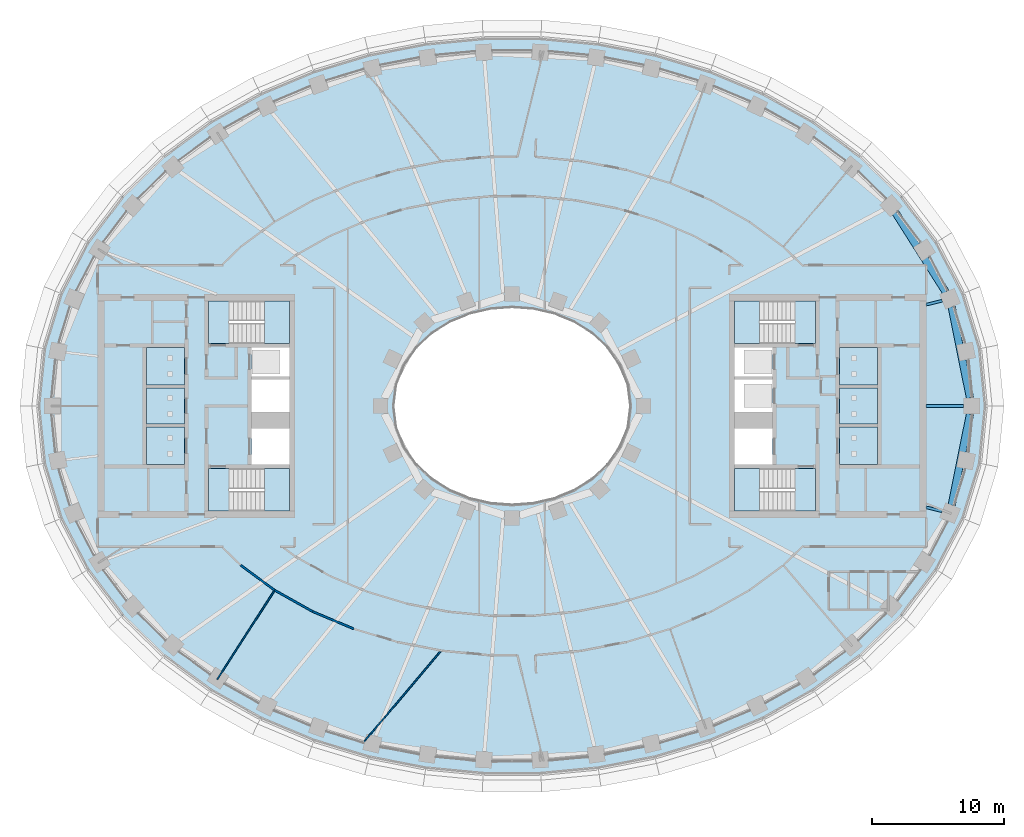
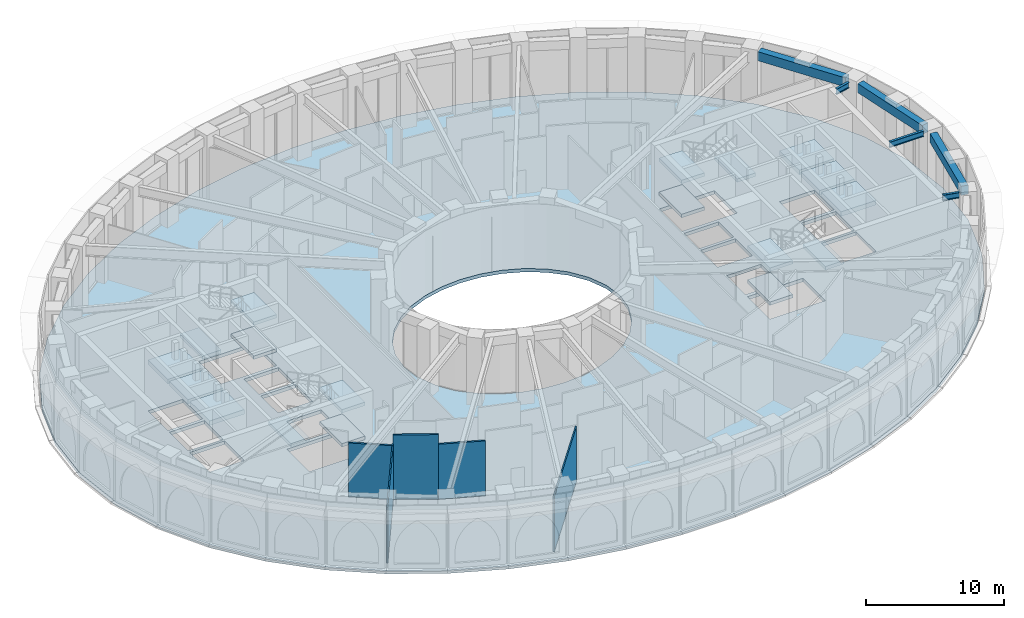
# One storey, part 2 of 23: 19 slabs, 6 beams, 5 walls, 4 elements without a shape of their own.
"""IFC4 building model written with IfcOpenShell, lengths in metres."""

import ifcopenshell
import ifcopenshell.guid

model = None  # the IFC model being written
_history = None  # IfcOwnerHistory: only IFC2X3 demands one
_inside = {}  # id of a spatial element -> (the spatial element, [elements in it])
_under = {}  # id of a project, library or spatial element -> (it, [spatial elements below it])
_declared = {}  # id of a project -> (the project, [libraries it declares])
_typed = {}  # id of a type object -> (the type object, [elements of that type])
_made_of = {}  # id of a material, layer set ... -> (it, [elements and type objects made of it])


def new_model(schema):
    """Start an empty IFC model of exactly this schema.

    Asked for "IFC4X3", IfcOpenShell would pick the latest addendum, in which some entities
    have other attributes; the version numbers below select the first issue.
    IFC2X3 requires an IfcOwnerHistory on every rooted entity: one is made here for all.
    """
    global model, _history
    if schema == "IFC4X3":
        model = ifcopenshell.file(schema_version=(4, 3, 0, 0))
    else:
        model = ifcopenshell.file(schema=schema)
    _inside.clear()
    _under.clear()
    _declared.clear()
    _typed.clear()
    _made_of.clear()
    _history = None
    if model.schema == "IFC2X3":
        org = make("IfcOrganization", Name="unknown")
        user = make(
            "IfcPersonAndOrganization",
            ThePerson=make("IfcPerson", FamilyName="unknown"),
            TheOrganization=org,
        )
        app = make(
            "IfcApplication",
            ApplicationDeveloper=org,
            Version="unknown",
            ApplicationFullName="unknown",
            ApplicationIdentifier="unknown",
        )
        _history = make(
            "IfcOwnerHistory",
            OwningUser=user,
            OwningApplication=app,
            ChangeAction="ADDED",
            CreationDate=0,
        )
    return model


def make(cls, **values):
    """One entity of the class cls with the attributes given. An attribute that is None is left unset."""
    return model.create_entity(
        cls, **{name: value for name, value in values.items() if value is not None}
    )


def rooted(cls, **values):
    """An entity with a GlobalId (a new one), such as an element, a storey or a relation."""
    return make(cls, GlobalId=ifcopenshell.guid.new(), OwnerHistory=_history, **values)


def si_unit(unit_type, name, prefix=None):
    """IfcSIUnit, for example si_unit("LENGTHUNIT", "METRE", prefix="MILLI")."""
    return make("IfcSIUnit", UnitType=unit_type, Prefix=prefix, Name=name)


def assignment(units):
    """IfcUnitAssignment: the units of a project."""
    return None if units is None else make("IfcUnitAssignment", Units=units)


def point(xyz):
    """IfcCartesianPoint."""
    return None if xyz is None else make("IfcCartesianPoint", Coordinates=xyz)


def direction(xyz):
    """IfcDirection."""
    return None if xyz is None else make("IfcDirection", DirectionRatios=xyz)


def frame(location, z_axis=None, x_axis=None):
    """IfcAxis2Placement3D, a coordinate frame: its origin and axes. An axis left out is left unset."""
    return make(
        "IfcAxis2Placement3D",
        Location=point(location),
        Axis=direction(z_axis),
        RefDirection=direction(x_axis),
    )


def frame_2d(location, x_axis=None):
    """IfcAxis2Placement2D, a coordinate frame in the plane: its origin and x axis."""
    return make(
        "IfcAxis2Placement2D", Location=point(location), RefDirection=direction(x_axis)
    )


def origin():
    """The frame at (0, 0, 0) with its axes left unset."""
    return frame((0.0, 0.0, 0.0))


def origin_2d():
    """The frame at (0, 0) in the plane with its x axis left unset."""
    return frame_2d((0.0, 0.0))


def place(relative_to, where):
    """IfcLocalPlacement: puts the frame where relative to a parent placement (None: the world)."""
    return make(
        "IfcLocalPlacement", PlacementRelTo=relative_to, RelativePlacement=where
    )


def context(
    kind, dimensions, precision=None, world=None, true_north=None, identifier=None
):
    """IfcGeometricRepresentationContext, for example the 3D "Model" context."""
    return make(
        "IfcGeometricRepresentationContext",
        ContextIdentifier=identifier,
        ContextType=kind,
        CoordinateSpaceDimension=dimensions,
        Precision=precision,
        WorldCoordinateSystem=world,
        TrueNorth=true_north,
    )


def subcontext(parent, identifier, kind, view, scale=None):
    """IfcGeometricRepresentationSubContext, for example "Body" below "Model"."""
    return make(
        "IfcGeometricRepresentationSubContext",
        ContextIdentifier=identifier,
        ContextType=kind,
        ParentContext=parent,
        TargetScale=scale,
        TargetView=view,
    )


def project(units=None, contexts=None):
    """IfcProject with its units and contexts."""
    return rooted(
        "IfcProject",
        Name="project",
        RepresentationContexts=contexts,
        UnitsInContext=assignment(units),
    )


def spatial(cls, under=None, at=None, **own):
    """A site, building, storey or space (cls), placed at a placement, below another one or the project."""
    s = rooted(cls, ObjectPlacement=at, **own)
    if under is not None:
        _under.setdefault(under.id(), (under, []))[1].append(s)
    return s


def polyline(points):
    """IfcPolyline through the points."""
    return make("IfcPolyline", Points=[point(p) for p in points])


def profile(cls, at=None, kind="AREA", **sizes):
    """A parametric profile (cls). Its sizes go by their IFC names, for example OverallWidth=200.0."""
    return make(cls, ProfileType=kind, Position=at, **sizes)


def rectangle(**sizes):
    """IfcRectangleProfileDef."""
    return profile("IfcRectangleProfileDef", **sizes)


def i_section(**sizes):
    """IfcIShapeProfileDef."""
    return profile("IfcIShapeProfileDef", **sizes)


def outline(outer, holes=None, kind="AREA"):
    """IfcArbitraryClosedProfileDef: a profile drawn as a closed curve; with holes, ...WithVoids."""
    if holes is None:
        return make("IfcArbitraryClosedProfileDef", ProfileType=kind, OuterCurve=outer)
    return make(
        "IfcArbitraryProfileDefWithVoids",
        ProfileType=kind,
        OuterCurve=outer,
        InnerCurves=holes,
    )


def extrude(swept, where, along, depth):
    """IfcExtrudedAreaSolid: the profile swept, set in the frame where, extruded along a direction by depth."""
    return make(
        "IfcExtrudedAreaSolid",
        SweptArea=swept,
        Position=where,
        ExtrudedDirection=direction(along),
        Depth=depth,
    )


def shape(context_of_items, identifier, shape_type, items):
    """IfcShapeRepresentation: the items that make up one representation, for example the "Body"."""
    return make(
        "IfcShapeRepresentation",
        ContextOfItems=context_of_items,
        RepresentationIdentifier=identifier,
        RepresentationType=shape_type,
        Items=items,
    )


def material(Name=None, Category=None):
    """IfcMaterial."""
    return make("IfcMaterial", Name=Name, Category=Category)


def layer(
    of_material, thickness, ventilated=None, Name=None, Category=None, Priority=None
):
    """IfcMaterialLayer: one layer of a wall or slab, of a material (None: an air gap)."""
    return make(
        "IfcMaterialLayer",
        Material=of_material,
        LayerThickness=thickness,
        IsVentilated=ventilated,
        Name=Name,
        Category=Category,
        Priority=Priority,
    )


def layer_set(layers, Name=None):
    """IfcMaterialLayerSet."""
    return make("IfcMaterialLayerSet", MaterialLayers=layers, LayerSetName=Name)


def material_profile(
    of_material, cross_section, Name=None, Category=None, Priority=None
):
    """IfcMaterialProfile: a cross section and its material."""
    return make(
        "IfcMaterialProfile",
        Name=Name,
        Material=of_material,
        Profile=cross_section,
        Priority=Priority,
        Category=Category,
    )


def profile_set(profiles, Name=None, composite=None):
    """IfcMaterialProfileSet."""
    return make(
        "IfcMaterialProfileSet",
        Name=Name,
        MaterialProfiles=profiles,
        CompositeProfile=composite,
    )


def made_of(thing, what):
    """Note that an element or type object is made of a material, layer set ...; save() writes the relation."""
    if what is not None:
        _made_of.setdefault(what.id(), (what, []))[1].append(thing)
    return thing


def type_object(cls, material=None, **own):
    """A type object (cls), such as IfcWallType, which elements share."""
    return made_of(rooted(cls, **own), material)


def element(
    cls,
    number,
    at=None,
    inside=None,
    cuts=None,
    type_object=None,
    material=None,
    context=None,
    identifier="Body",
    shape_type=None,
    held_by="IfcProductDefinitionShape",
    body=None,
    shapes=None,
    **own,
):
    """One element of the class cls, such as IfcWall. Its Tag is "e" and its number.

    at: its placement. inside: the storey or other place that contains it. cuts: it is an
    opening in that element (IfcRelVoidsElement). A single representation is given by context,
    identifier, shape_type and body (its items); several are given by shapes. held_by: the class
    of the entity that holds the representations. save() writes the other relations.
    """
    e = rooted(cls, Tag="e%d" % number, ObjectPlacement=at, **own)
    if body is not None:
        shapes = [shape(context, identifier, shape_type, body)]
    if shapes is not None:
        e.Representation = make(held_by, Representations=shapes)
    if inside is not None:
        _inside.setdefault(inside.id(), (inside, []))[1].append(e)
    if cuts is not None:
        rooted(
            "IfcRelVoidsElement", RelatingBuildingElement=cuts, RelatedOpeningElement=e
        )
    if type_object is not None:
        _typed.setdefault(type_object.id(), (type_object, []))[1].append(e)
    return made_of(e, material)


def aggregate(whole, parts):
    """IfcRelAggregates: a whole, such as a stair, and the parts it consists of."""
    return rooted("IfcRelAggregates", RelatingObject=whole, RelatedObjects=parts)


def save(model, path):
    """Write the relations noted so far, then the file.

    IfcRelAggregates (storeys below a building ...), IfcRelContainedInSpatialStructure (elements
    in a storey), IfcRelDefinesByType, IfcRelAssociatesMaterial and IfcRelDeclares: one each for
    every whole, place, type object, material and project.
    """
    for whole, parts in _under.values():
        aggregate(whole, parts)
    for where, things in _inside.values():
        rooted(
            "IfcRelContainedInSpatialStructure",
            RelatedElements=things,
            RelatingStructure=where,
        )
    for kind, things in _typed.values():
        rooted("IfcRelDefinesByType", RelatedObjects=things, RelatingType=kind)
    for what, things in _made_of.values():
        rooted("IfcRelAssociatesMaterial", RelatedObjects=things, RelatingMaterial=what)
    for by, libraries in _declared.values():
        rooted("IfcRelDeclares", RelatingContext=by, RelatedDefinitions=libraries)
    model.write(path)


model = new_model("IFC4")

# Units and contexts
model_context = context("Model", 3, precision=1e-05, world=origin(), true_north=direction((0.0, 1.0)))
body_context = subcontext(model_context, "Body", "Model", "MODEL_VIEW")
ifc_project = project(units=[si_unit("LENGTHUNIT", "METRE"), si_unit("AREAUNIT", "SQUARE_METRE"), si_unit("VOLUMEUNIT", "CUBIC_METRE"), si_unit("PLANEANGLEUNIT", "RADIAN"), si_unit("MASSUNIT", "GRAM", prefix="KILO")], contexts=[model_context])

# Site, building, storey
site_placement = place(None, origin())
site = spatial("IfcSite", under=ifc_project, at=site_placement, CompositionType="ELEMENT")
building_placement = place(site_placement, origin())
building = spatial("IfcBuilding", under=site, at=building_placement, Name="Noorbagh Ring Tower", CompositionType="ELEMENT")
storey_placement = place(building_placement, frame((0.0, 0.0, 140.0)))
storey = spatial("IfcBuildingStorey", under=building, at=storey_placement, Name="L32", CompositionType="ELEMENT", Elevation=140.0)

# Beams
ifc_material_1 = material(Name="Steel S355", Category="steel")
ifc_material_profile_1 = material_profile(ifc_material_1, i_section(OverallWidth=0.199951171875, OverallDepth=0.5, WebThickness=0.01025390625, FlangeThickness=0.01611328125, FilletRadius=0.02099609375, at=origin_2d()), Name="IPE500")
ifc_profile_set_1 = profile_set([ifc_material_profile_1], Name="Steel S355")
beam_type_1 = type_object("IfcBeamType", Name="STR-RAD-IPE500", PredefinedType="BEAM", material=ifc_profile_set_1)
beam_1_placement = place(storey_placement, frame((34.339599609375, 0.0, 5.449951171875), z_axis=(-1.0, 0.0, 0.0), x_axis=(0.0, -1.0, 0.0)))
element("IfcBeam", 1, at=beam_1_placement, inside=storey, type_object=beam_type_1, Name="L32/bm/RD01", PredefinedType="BEAM", context=body_context, shape_type="SweptSolid", body=[
    extrude(i_section(OverallWidth=0.199951171875, OverallDepth=0.5, WebThickness=0.01025390625, FlangeThickness=0.01611328125, FilletRadius=0.02099609375, at=origin_2d()), origin(), (0.0, 0.0, 1.0), 2.859619140625),
])
for number, where, z_axis, x_axis, name in (
    (2, (32.710693359375, 8.00390625, 5.449951171875), (-0.971343647719, -0.237679443865, 0.0), (0.237679443865, -0.971343647719, 0.0), "L32/bm/RD03"),
    (3, (32.710693359375, -8.00390625, 5.449951171875), (-0.971343647719, 0.237679443865, 0.0), (-0.237679443865, -0.971343647719, 0.0), "L32/bm/RD45"),
):
    element("IfcBeam", number, at=place(storey_placement, frame(where, z_axis=z_axis, x_axis=x_axis)), inside=storey, type_object=beam_type_1, Name=name, PredefinedType="BEAM", context=body_context, shape_type="SweptSolid", body=[
        extrude(i_section(OverallWidth=0.199951171875, OverallDepth=0.5, WebThickness=0.01025390625, FlangeThickness=0.01611328125, FilletRadius=0.02099609375, at=origin_2d()), origin(), (0.0, 0.0, 1.0), 1.2666015625),
    ])
ifc_material_2 = material(Name="Concrete C40/50", Category="concrete")
ifc_material_profile_2 = material_profile(ifc_material_2, rectangle(XDim=0.550048828125, YDim=0.800048828125, at=origin_2d()), Name="RC550x800")
ifc_profile_set_2 = profile_set([ifc_material_profile_2], Name="Concrete C40/50")
beam_type_2 = type_object("IfcBeamType", Name="STR-SB-RC550x800-C40-50", PredefinedType="BEAM", material=ifc_profile_set_2)
beam_2_placement = place(storey_placement, frame((34.822998046875, 0.60546875, 5.300048828125), z_axis=(-0.197250205232, 0.98035317949, 0.0), x_axis=(-0.98035317949, -0.197250205232, 0.0)))
element("IfcBeam", 4, at=beam_2_placement, inside=storey, type_object=beam_type_2, Name="L32/bm/SP01", PredefinedType="BEAM", context=body_context, shape_type="SweptSolid", body=[
    extrude(rectangle(XDim=0.550048828125, YDim=0.800048828125, at=origin_2d()), origin(), (0.0, 0.0, 1.0), 7.07861328125),
])
beam_3_placement = place(storey_placement, frame((32.97607421875, 8.668701171875, 5.300048828125), z_axis=(-0.535178715716, 0.844738860385, 0.0), x_axis=(-0.844738860385, -0.535178715716, 0.0)))
element("IfcBeam", 5, at=beam_3_placement, inside=storey, type_object=beam_type_2, Name="L32/bm/SP03", PredefinedType="BEAM", context=body_context, shape_type="SweptSolid", body=[
    extrude(rectangle(XDim=0.550048828125, YDim=0.800048828125, at=origin_2d()), origin(), (0.0, 0.0, 1.0), 7.15478515625),
])
beam_4_placement = place(storey_placement, frame((33.4267578125, -7.544921875, 5.300048828125), z_axis=(0.197250205232, 0.98035317949, 0.0), x_axis=(-0.98035317949, 0.197250205232, 0.0)))
element("IfcBeam", 6, at=beam_4_placement, inside=storey, type_object=beam_type_2, Name="L32/bm/SP45", PredefinedType="BEAM", context=body_context, shape_type="SweptSolid", body=[
    extrude(rectangle(XDim=0.550048828125, YDim=0.800048828125, at=origin_2d()), origin(), (0.0, 0.0, 1.0), 7.07861328125),
])

# Slabs
ifc_material_3 = material(Name="Concrete C40/50", Category="concrete")
ifc_layer_1 = layer(ifc_material_3, 0.39990234375)
ifc_layer_set_1 = layer_set([ifc_layer_1], Name="Concrete C40/50")
slab_type_1 = type_object("IfcSlabType", Name="CORE-PIT-SLAB", PredefinedType="BASESLAB", material=ifc_layer_set_1)
slab_1_placement = place(storey_placement, frame((0.0, 0.0, 4.10009765625)))
element("IfcSlab", 7, at=slab_1_placement, inside=storey, type_object=slab_type_1, Name="Lift pit floor HR2", PredefinedType="BASESLAB", context=body_context, shape_type="SweptSolid", body=[
    extrude(outline(polyline([(-24.89990234375, -1.60009765625), (-27.800048828125, -1.60009765625), (-27.800048828125, -4.449951171875), (-24.89990234375, -4.449951171875), (-24.89990234375, -1.60009765625)])), origin(), (0.0, 0.0, 1.0), 0.39990234375),
])
slab_2_placement = place(storey_placement, frame((0.0, 0.0, 4.10009765625)))
element("IfcSlab", 8, at=slab_2_placement, inside=storey, type_object=slab_type_1, Name="Lift pit floor HR3", PredefinedType="BASESLAB", context=body_context, shape_type="SweptSolid", body=[
    extrude(outline(polyline([(-24.89990234375, 1.35009765625), (-27.800048828125, 1.35009765625), (-27.800048828125, -1.35009765625), (-24.89990234375, -1.35009765625), (-24.89990234375, 1.35009765625)])), origin(), (0.0, 0.0, 1.0), 0.39990234375),
])
slab_3_placement = place(storey_placement, frame((0.0, 0.0, 4.10009765625)))
element("IfcSlab", 9, at=slab_3_placement, inside=storey, type_object=slab_type_1, Name="Lift pit floor HR4", PredefinedType="BASESLAB", context=body_context, shape_type="SweptSolid", body=[
    extrude(outline(polyline([(-24.89990234375, 4.449951171875), (-27.800048828125, 4.449951171875), (-27.800048828125, 1.60009765625), (-24.89990234375, 1.60009765625), (-24.89990234375, 4.449951171875)])), origin(), (0.0, 0.0, 1.0), 0.39990234375),
])
slab_4_placement = place(storey_placement, frame((0.0, 0.0, 4.10009765625)))
element("IfcSlab", 10, at=slab_4_placement, inside=storey, type_object=slab_type_1, Name="Lift pit floor HR9", PredefinedType="BASESLAB", context=body_context, shape_type="SweptSolid", body=[
    extrude(outline(polyline([(24.89990234375, -4.449951171875), (27.800048828125, -4.449951171875), (27.800048828125, -1.60009765625), (24.89990234375, -1.60009765625), (24.89990234375, -4.449951171875)])), origin(), (0.0, 0.0, 1.0), 0.39990234375),
])
slab_5_placement = place(storey_placement, frame((0.0, 0.0, 4.10009765625)))
element("IfcSlab", 11, at=slab_5_placement, inside=storey, type_object=slab_type_1, Name="Lift pit floor HR10", PredefinedType="BASESLAB", context=body_context, shape_type="SweptSolid", body=[
    extrude(outline(polyline([(24.89990234375, -1.35009765625), (27.800048828125, -1.35009765625), (27.800048828125, 1.35009765625), (24.89990234375, 1.35009765625), (24.89990234375, -1.35009765625)])), origin(), (0.0, 0.0, 1.0), 0.39990234375),
])
slab_6_placement = place(storey_placement, frame((0.0, 0.0, 4.10009765625)))
element("IfcSlab", 12, at=slab_6_placement, inside=storey, type_object=slab_type_1, Name="Lift pit floor HR11", PredefinedType="BASESLAB", context=body_context, shape_type="SweptSolid", body=[
    extrude(outline(polyline([(24.89990234375, 1.60009765625), (27.800048828125, 1.60009765625), (27.800048828125, 4.449951171875), (24.89990234375, 4.449951171875), (24.89990234375, 1.60009765625)])), origin(), (0.0, 0.0, 1.0), 0.39990234375),
])

# Stair, slabs
ifc_material_4 = material(Name="Concrete C40/50", Category="concrete")
stair_type = type_object("IfcStairType", Name="CORE-STAIR", PredefinedType="HALF_TURN_STAIR", material=ifc_material_4)
stair_1_placement = place(storey_placement, origin())
stair_1 = element("IfcStair", 13, at=stair_1_placement, inside=storey, type_object=stair_type, Name="L32 Exit stair ST1", PredefinedType="HALF_TURN_STAIR")
ifc_material_5 = material(Name="Concrete C40/50", Category="concrete")
ifc_layer_2 = layer(ifc_material_5, 0.300048828125)
ifc_layer_set_2 = layer_set([ifc_layer_2], Name="Concrete C40/50")
slab_type_2 = type_object("IfcSlabType", Name="CORE-STAIR-LANDING", PredefinedType="LANDING", material=ifc_layer_set_2)
slab_7_placement = place(storey_placement, frame((0.0, 0.0, 1.199951171875)))
slab_7 = element("IfcSlab", 14, at=slab_7_placement, type_object=slab_type_2, Name="ST1 landing 1", PredefinedType="LANDING", context=body_context, shape_type="SweptSolid", body=[
    extrude(outline(polyline([(-18.81005859375, 4.75), (-16.89990234375, 4.75), (-16.89990234375, 8.0), (-18.81005859375, 8.0), (-18.81005859375, 4.75)])), origin(), (0.0, 0.0, 1.0), 0.300048828125),
])
slab_8_placement = place(storey_placement, frame((0.0, 0.0, 2.699951171875)))
slab_8 = element("IfcSlab", 15, at=slab_8_placement, type_object=slab_type_2, Name="ST1 landing 2", PredefinedType="LANDING", context=body_context, shape_type="SweptSolid", body=[
    extrude(outline(polyline([(-23.080078125, 4.75), (-21.530029296875, 4.75), (-21.530029296875, 8.0), (-23.080078125, 8.0), (-23.080078125, 4.75)])), origin(), (0.0, 0.0, 1.0), 0.300048828125),
])
slab_9_placement = place(storey_placement, frame((0.0, 0.0, 4.199951171875)))
slab_9 = element("IfcSlab", 16, at=slab_9_placement, type_object=slab_type_2, Name="ST1 landing 3", PredefinedType="LANDING", context=body_context, shape_type="SweptSolid", body=[
    extrude(outline(polyline([(-18.81005859375, 4.75), (-16.89990234375, 4.75), (-16.89990234375, 8.0), (-18.81005859375, 8.0), (-18.81005859375, 4.75)])), origin(), (0.0, 0.0, 1.0), 0.300048828125),
])
aggregate(stair_1, [slab_7, slab_8, slab_9])

stair_2_placement = place(storey_placement, origin())
stair_2 = element("IfcStair", 17, at=stair_2_placement, inside=storey, type_object=stair_type, Name="L32 Exit stair ST2", PredefinedType="HALF_TURN_STAIR")
slab_10_placement = place(storey_placement, frame((0.0, 0.0, 1.199951171875)))
slab_10 = element("IfcSlab", 18, at=slab_10_placement, type_object=slab_type_2, Name="ST2 landing 1", PredefinedType="LANDING", context=body_context, shape_type="SweptSolid", body=[
    extrude(outline(polyline([(-18.81005859375, -8.0), (-16.89990234375, -8.0), (-16.89990234375, -4.75), (-18.81005859375, -4.75), (-18.81005859375, -8.0)])), origin(), (0.0, 0.0, 1.0), 0.300048828125),
])
slab_11_placement = place(storey_placement, frame((0.0, 0.0, 2.699951171875)))
slab_11 = element("IfcSlab", 19, at=slab_11_placement, type_object=slab_type_2, Name="ST2 landing 2", PredefinedType="LANDING", context=body_context, shape_type="SweptSolid", body=[
    extrude(outline(polyline([(-23.080078125, -8.0), (-21.530029296875, -8.0), (-21.530029296875, -4.75), (-23.080078125, -4.75), (-23.080078125, -8.0)])), origin(), (0.0, 0.0, 1.0), 0.300048828125),
])
slab_12_placement = place(storey_placement, frame((0.0, 0.0, 4.199951171875)))
slab_12 = element("IfcSlab", 20, at=slab_12_placement, type_object=slab_type_2, Name="ST2 landing 3", PredefinedType="LANDING", context=body_context, shape_type="SweptSolid", body=[
    extrude(outline(polyline([(-18.81005859375, -8.0), (-16.89990234375, -8.0), (-16.89990234375, -4.75), (-18.81005859375, -4.75), (-18.81005859375, -8.0)])), origin(), (0.0, 0.0, 1.0), 0.300048828125),
])
aggregate(stair_2, [slab_10, slab_11, slab_12])

stair_3_placement = place(storey_placement, origin())
stair_3 = element("IfcStair", 21, at=stair_3_placement, inside=storey, type_object=stair_type, Name="L32 Exit stair ST3", PredefinedType="HALF_TURN_STAIR")
slab_13_placement = place(storey_placement, frame((0.0, 0.0, 1.199951171875)))
slab_13 = element("IfcSlab", 22, at=slab_13_placement, type_object=slab_type_2, Name="ST3 landing 1", PredefinedType="LANDING", context=body_context, shape_type="SweptSolid", body=[
    extrude(outline(polyline([(18.81005859375, 8.0), (16.89990234375, 8.0), (16.89990234375, 4.75), (18.81005859375, 4.75), (18.81005859375, 8.0)])), origin(), (0.0, 0.0, 1.0), 0.300048828125),
])
slab_14_placement = place(storey_placement, frame((0.0, 0.0, 2.699951171875)))
slab_14 = element("IfcSlab", 23, at=slab_14_placement, type_object=slab_type_2, Name="ST3 landing 2", PredefinedType="LANDING", context=body_context, shape_type="SweptSolid", body=[
    extrude(outline(polyline([(23.080078125, 8.0), (21.530029296875, 8.0), (21.530029296875, 4.75), (23.080078125, 4.75), (23.080078125, 8.0)])), origin(), (0.0, 0.0, 1.0), 0.300048828125),
])
slab_15_placement = place(storey_placement, frame((0.0, 0.0, 4.199951171875)))
slab_15 = element("IfcSlab", 24, at=slab_15_placement, type_object=slab_type_2, Name="ST3 landing 3", PredefinedType="LANDING", context=body_context, shape_type="SweptSolid", body=[
    extrude(outline(polyline([(18.81005859375, 8.0), (16.89990234375, 8.0), (16.89990234375, 4.75), (18.81005859375, 4.75), (18.81005859375, 8.0)])), origin(), (0.0, 0.0, 1.0), 0.300048828125),
])
aggregate(stair_3, [slab_13, slab_14, slab_15])

stair_4_placement = place(storey_placement, origin())
stair_4 = element("IfcStair", 25, at=stair_4_placement, inside=storey, type_object=stair_type, Name="L32 Exit stair ST4", PredefinedType="HALF_TURN_STAIR")
slab_16_placement = place(storey_placement, frame((0.0, 0.0, 1.199951171875)))
slab_16 = element("IfcSlab", 26, at=slab_16_placement, type_object=slab_type_2, Name="ST4 landing 1", PredefinedType="LANDING", context=body_context, shape_type="SweptSolid", body=[
    extrude(outline(polyline([(18.81005859375, -4.75), (16.89990234375, -4.75), (16.89990234375, -8.0), (18.81005859375, -8.0), (18.81005859375, -4.75)])), origin(), (0.0, 0.0, 1.0), 0.300048828125),
])
slab_17_placement = place(storey_placement, frame((0.0, 0.0, 2.699951171875)))
slab_17 = element("IfcSlab", 27, at=slab_17_placement, type_object=slab_type_2, Name="ST4 landing 2", PredefinedType="LANDING", context=body_context, shape_type="SweptSolid", body=[
    extrude(outline(polyline([(23.080078125, -4.75), (21.530029296875, -4.75), (21.530029296875, -8.0), (23.080078125, -8.0), (23.080078125, -4.75)])), origin(), (0.0, 0.0, 1.0), 0.300048828125),
])
slab_18_placement = place(storey_placement, frame((0.0, 0.0, 4.199951171875)))
slab_18 = element("IfcSlab", 28, at=slab_18_placement, type_object=slab_type_2, Name="ST4 landing 3", PredefinedType="LANDING", context=body_context, shape_type="SweptSolid", body=[
    extrude(outline(polyline([(18.81005859375, -4.75), (16.89990234375, -4.75), (16.89990234375, -8.0), (18.81005859375, -8.0), (18.81005859375, -4.75)])), origin(), (0.0, 0.0, 1.0), 0.300048828125),
])
aggregate(stair_4, [slab_16, slab_17, slab_18])

# Slab
ifc_material_6 = material(Name="Concrete C40/50", Category="concrete")
ifc_layer_3 = layer(ifc_material_6, 0.300048828125)
ifc_layer_set_3 = layer_set([ifc_layer_3], Name="Concrete C40/50")
slab_type_3 = type_object("IfcSlabType", Name="STR-FLOOR-DECK-300", PredefinedType="FLOOR", material=ifc_layer_set_3)
slab_19_placement = place(storey_placement, frame((0.0, 0.0, -0.300048828125)))
element("IfcSlab", 29, at=slab_19_placement, inside=storey, type_object=slab_type_3, Name="L32/slab/1", PredefinedType="FLOOR", context=body_context, shape_type="SweptSolid", body=[
    extrude(outline(polyline([(36.0, 0.0), (35.56103515625, 4.358642578125), (34.281005859375, 8.548828125), (32.255126953125, 12.434814453125), (29.607666015625, 15.92822265625), (26.463134765625, 18.983154296875), (22.9326171875, 21.583740234375), (19.108154296875, 23.730224609375), (15.0654296875, 25.430419921875), (10.865234375, 26.6943359375), (6.5595703125, 27.53125), (2.193115234375, 27.947998046875), (-2.193115234375, 27.947998046875), (-6.5595703125, 27.53125), (-10.865234375, 26.6943359375), (-15.0654296875, 25.430419921875), (-19.108154296875, 23.730224609375), (-22.9326171875, 21.583740234375), (-26.463134765625, 18.983154296875), (-29.607666015625, 15.92822265625), (-32.255126953125, 12.434814453125), (-34.281005859375, 8.548828125), (-35.56103515625, 4.358642578125), (-36.0, 0.0), (-35.56103515625, -4.358642578125), (-34.281005859375, -8.548828125), (-32.255126953125, -12.434814453125), (-29.607666015625, -15.92822265625), (-26.463134765625, -18.983154296875), (-22.9326171875, -21.583740234375), (-19.108154296875, -23.730224609375), (-15.0654296875, -25.430419921875), (-10.865234375, -26.6943359375), (-6.5595703125, -27.53125), (-2.193115234375, -27.947998046875), (2.193115234375, -27.947998046875), (6.5595703125, -27.53125), (10.865234375, -26.6943359375), (15.0654296875, -25.430419921875), (19.108154296875, -23.730224609375), (22.9326171875, -21.583740234375), (26.463134765625, -18.983154296875), (29.607666015625, -15.92822265625), (32.255126953125, -12.434814453125), (34.281005859375, -8.548828125), (35.56103515625, -4.358642578125), (36.0, 0.0)]), holes=[polyline([(24.89990234375, 4.449951171875), (27.800048828125, 4.449951171875), (27.800048828125, 1.60009765625), (24.89990234375, 1.60009765625), (24.89990234375, 4.449951171875)]), polyline([(24.89990234375, 1.35009765625), (27.800048828125, 1.35009765625), (27.800048828125, -1.35009765625), (24.89990234375, -1.35009765625), (24.89990234375, 1.35009765625)]), polyline([(24.89990234375, -1.60009765625), (27.800048828125, -1.60009765625), (27.800048828125, -4.449951171875), (24.89990234375, -4.449951171875), (24.89990234375, -1.60009765625)]), polyline([(21.529541015625, -8.0), (16.89990234375, -8.0), (16.89990234375, -4.75), (21.529541015625, -4.75), (21.529541015625, -8.0)]), polyline([(16.89990234375, 4.75), (16.89990234375, 8.0), (21.529541015625, 8.0), (21.529541015625, 4.75), (16.89990234375, 4.75)]), polyline([(19.800048828125, 4.449951171875), (19.800048828125, 2.25), (16.89990234375, 2.25), (16.89990234375, 4.449951171875), (19.800048828125, 4.449951171875)]), polyline([(16.89990234375, 2.0), (19.800048828125, 2.0), (19.800048828125, -0.449951171875), (16.89990234375, -0.449951171875), (16.89990234375, 2.0)]), polyline([(16.89990234375, -1.699951171875), (19.800048828125, -1.699951171875), (19.800048828125, -4.449951171875), (16.89990234375, -4.449951171875), (16.89990234375, -1.699951171875)]), polyline([(4.697509765625, -6.3974609375), (3.196533203125, -7.010986328125), (1.6171875, -7.3779296875), (0.0, -7.5), (-1.6171875, -7.3779296875), (-3.196533203125, -7.010986328125), (-4.697509765625, -6.3974609375), (-6.071044921875, -5.53662109375), (-7.2587890625, -4.43408203125), (-8.1904296875, -3.10888671875), (-8.79150390625, -1.605224609375), (-9.0, 0.0), (-8.79150390625, 1.605224609375), (-8.1904296875, 3.10888671875), (-7.2587890625, 4.43408203125), (-6.071044921875, 5.53662109375), (-4.697509765625, 6.3974609375), (-3.196533203125, 7.010986328125), (-1.6171875, 7.3779296875), (0.0, 7.5), (1.6171875, 7.3779296875), (3.196533203125, 7.010986328125), (4.697509765625, 6.3974609375), (6.071044921875, 5.53662109375), (7.2587890625, 4.43408203125), (8.1904296875, 3.10888671875), (8.79150390625, 1.605224609375), (9.0, 0.0), (8.79150390625, -1.605224609375), (8.1904296875, -3.10888671875), (7.2587890625, -4.43408203125), (6.071044921875, -5.53662109375), (4.697509765625, -6.3974609375)]), polyline([(-16.89990234375, 2.25), (-19.800048828125, 2.25), (-19.800048828125, 4.449951171875), (-16.89990234375, 4.449951171875), (-16.89990234375, 2.25)]), polyline([(-16.89990234375, -0.449951171875), (-19.800048828125, -0.449951171875), (-19.800048828125, 2.0), (-16.89990234375, 2.0), (-16.89990234375, -0.449951171875)]), polyline([(-16.89990234375, -4.449951171875), (-19.800048828125, -4.449951171875), (-19.800048828125, -1.699951171875), (-16.89990234375, -1.699951171875), (-16.89990234375, -4.449951171875)]), polyline([(-21.529541015625, 8.0), (-16.89990234375, 8.0), (-16.89990234375, 4.75), (-21.529541015625, 4.75), (-21.529541015625, 8.0)]), polyline([(-21.529541015625, -4.75), (-16.89990234375, -4.75), (-16.89990234375, -8.0), (-21.529541015625, -8.0), (-21.529541015625, -4.75)]), polyline([(-24.89990234375, -4.449951171875), (-27.800048828125, -4.449951171875), (-27.800048828125, -1.60009765625), (-24.89990234375, -1.60009765625), (-24.89990234375, -4.449951171875)]), polyline([(-24.89990234375, 1.60009765625), (-27.800048828125, 1.60009765625), (-27.800048828125, 4.449951171875), (-24.89990234375, 4.449951171875), (-24.89990234375, 1.60009765625)]), polyline([(-24.89990234375, -1.35009765625), (-27.800048828125, -1.35009765625), (-27.800048828125, 1.35009765625), (-24.89990234375, 1.35009765625), (-24.89990234375, -1.35009765625)])]), origin(), (0.0, 0.0, 1.0), 0.300048828125),
])

# Walls
ifc_material_7 = material(Name="Gypsum board on steel studs", Category="steel")
ifc_layer_4 = layer(ifc_material_7, 0.14990234375)
ifc_layer_set_4 = layer_set([ifc_layer_4], Name="Gypsum board on steel studs")
wall_type_1 = type_object("IfcWallType", Name="CORRIDOR PARTITION 150 EI 30", PredefinedType="PARTITIONING", material=ifc_layer_set_4)
wall_1_placement = place(storey_placement, frame((-20.632080078125, -12.10107421875, 0.0), z_axis=(0.0, 0.0, 1.0), x_axis=(0.805186398484, -0.5930218071, 0.0)))
element("IfcWall", 30, at=wall_1_placement, inside=storey, type_object=wall_type_1, Name="L32/wall/P12", PredefinedType="PARTITIONING", context=body_context, shape_type="SweptSolid", body=[
    extrude(rectangle(XDim=3.195556640625, YDim=0.14990234375, at=frame_2d((1.59765625, 0.0))), origin(), (0.0, 0.0, 1.0), 4.75),
])
wall_2_placement = place(storey_placement, frame((-18.02490234375, -14.01806640625, 0.0), z_axis=(0.0, 0.0, 1.0), x_axis=(0.872057509625, -0.489403412235, 0.0)))
element("IfcWall", 31, at=wall_2_placement, inside=storey, type_object=wall_type_1, Name="L32/wall/P14", PredefinedType="PARTITIONING", context=body_context, shape_type="SweptSolid", body=[
    extrude(rectangle(XDim=3.2978515625, YDim=0.14990234375, at=frame_2d((1.64892578125, 0.0))), origin(), (0.0, 0.0, 1.0), 5.699951171875),
])
wall_3_placement = place(storey_placement, frame((-15.14892578125, -15.632080078125, 0.0), z_axis=(0.0, 0.0, 1.0), x_axis=(0.921865104958, -0.387510939537, 0.0)))
element("IfcWall", 32, at=wall_3_placement, inside=storey, type_object=wall_type_1, Name="L32/wall/P24", PredefinedType="PARTITIONING", context=body_context, shape_type="SweptSolid", body=[
    extrude(rectangle(XDim=3.3984375, YDim=0.14990234375, at=frame_2d((1.69921875, 0.0))), origin(), (0.0, 0.0, 1.0), 4.85009765625),
])
ifc_material_8 = material(Name="Gypsum board on steel studs", Category="steel")
ifc_layer_5 = layer(ifc_material_8, 0.10009765625)
ifc_layer_set_5 = layer_set([ifc_layer_5], Name="Gypsum board on steel studs")
wall_type_2 = type_object("IfcWallType", Name="PARTITION 100 GYPSUM", PredefinedType="PARTITIONING", material=ifc_layer_set_5)
wall_4_placement = place(storey_placement, frame((-22.416015625, -20.783935546875, 0.0), z_axis=(0.0, 0.0, 1.0), x_axis=(0.542253796455, 0.840214746496, 0.0)))
element("IfcWall", 33, at=wall_4_placement, inside=storey, type_object=wall_type_2, Name="L32/wall/P08", PredefinedType="PARTITIONING", context=body_context, shape_type="SweptSolid", body=[
    extrude(rectangle(XDim=8.06103515625, YDim=0.10009765625, at=frame_2d((4.030517578125, 0.0))), origin(), (0.0, 0.0, 1.0), 4.89990234375),
])
wall_5_placement = place(storey_placement, frame((-11.2900390625, -25.573974609375, 0.0), z_axis=(0.0, 0.0, 1.0), x_axis=(0.646337004363, 0.763052079999, 0.0)))
element("IfcWall", 34, at=wall_5_placement, inside=storey, type_object=wall_type_2, Name="L32/wall/P34", PredefinedType="PARTITIONING", context=body_context, shape_type="SweptSolid", body=[
    extrude(rectangle(XDim=9.063720703125, YDim=0.10009765625, at=frame_2d((4.53173828125, 0.0))), origin(), (0.0, 0.0, 1.0), 4.85009765625),
])

save(model, "model.ifc")
